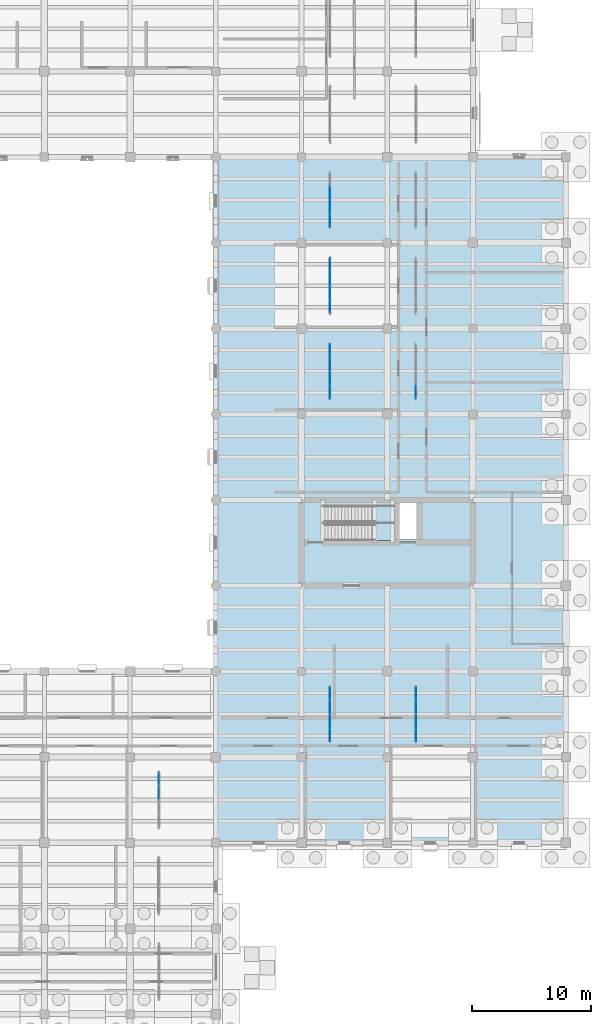
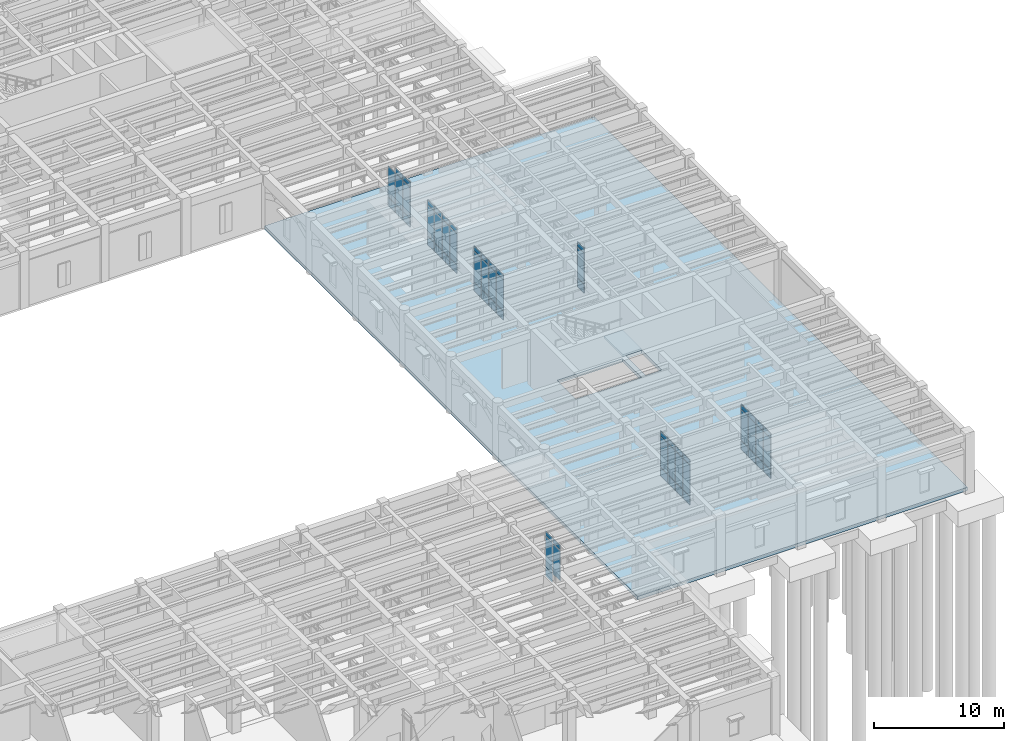
# One storey, part 63 of 100: 64 plates, 2 slabs, 8 elements without a shape of their own.
"""IFC4 building model written with IfcOpenShell, lengths in metres."""

import ifcopenshell
import ifcopenshell.guid

model = None  # the IFC model being written
_history = None  # IfcOwnerHistory: only IFC2X3 demands one
_inside = {}  # id of a spatial element -> (the spatial element, [elements in it])
_under = {}  # id of a project, library or spatial element -> (it, [spatial elements below it])
_declared = {}  # id of a project -> (the project, [libraries it declares])
_typed = {}  # id of a type object -> (the type object, [elements of that type])
_made_of = {}  # id of a material, layer set ... -> (it, [elements and type objects made of it])


def new_model(schema):
    """Start an empty IFC model of exactly this schema.

    Asked for "IFC4X3", IfcOpenShell would pick the latest addendum, in which some entities
    have other attributes; the version numbers below select the first issue.
    IFC2X3 requires an IfcOwnerHistory on every rooted entity: one is made here for all.
    """
    global model, _history
    if schema == "IFC4X3":
        model = ifcopenshell.file(schema_version=(4, 3, 0, 0))
    else:
        model = ifcopenshell.file(schema=schema)
    _inside.clear()
    _under.clear()
    _declared.clear()
    _typed.clear()
    _made_of.clear()
    _history = None
    if model.schema == "IFC2X3":
        org = make("IfcOrganization", Name="unknown")
        user = make(
            "IfcPersonAndOrganization",
            ThePerson=make("IfcPerson", FamilyName="unknown"),
            TheOrganization=org,
        )
        app = make(
            "IfcApplication",
            ApplicationDeveloper=org,
            Version="unknown",
            ApplicationFullName="unknown",
            ApplicationIdentifier="unknown",
        )
        _history = make(
            "IfcOwnerHistory",
            OwningUser=user,
            OwningApplication=app,
            ChangeAction="ADDED",
            CreationDate=0,
        )
    return model


def make(cls, **values):
    """One entity of the class cls with the attributes given. An attribute that is None is left unset."""
    return model.create_entity(
        cls, **{name: value for name, value in values.items() if value is not None}
    )


def rooted(cls, **values):
    """An entity with a GlobalId (a new one), such as an element, a storey or a relation."""
    return make(cls, GlobalId=ifcopenshell.guid.new(), OwnerHistory=_history, **values)


def si_unit(unit_type, name, prefix=None):
    """IfcSIUnit, for example si_unit("LENGTHUNIT", "METRE", prefix="MILLI")."""
    return make("IfcSIUnit", UnitType=unit_type, Prefix=prefix, Name=name)


def assignment(units):
    """IfcUnitAssignment: the units of a project."""
    return None if units is None else make("IfcUnitAssignment", Units=units)


def point(xyz):
    """IfcCartesianPoint."""
    return None if xyz is None else make("IfcCartesianPoint", Coordinates=xyz)


def direction(xyz):
    """IfcDirection."""
    return None if xyz is None else make("IfcDirection", DirectionRatios=xyz)


def frame(location, z_axis=None, x_axis=None):
    """IfcAxis2Placement3D, a coordinate frame: its origin and axes. An axis left out is left unset."""
    return make(
        "IfcAxis2Placement3D",
        Location=point(location),
        Axis=direction(z_axis),
        RefDirection=direction(x_axis),
    )


def frame_2d(location, x_axis=None):
    """IfcAxis2Placement2D, a coordinate frame in the plane: its origin and x axis."""
    return make(
        "IfcAxis2Placement2D", Location=point(location), RefDirection=direction(x_axis)
    )


def origin():
    """The frame at (0, 0, 0) with its axes left unset."""
    return frame((0.0, 0.0, 0.0))


def origin_2d():
    """The frame at (0, 0) in the plane with its x axis left unset."""
    return frame_2d((0.0, 0.0))


def place(relative_to, where):
    """IfcLocalPlacement: puts the frame where relative to a parent placement (None: the world)."""
    return make(
        "IfcLocalPlacement", PlacementRelTo=relative_to, RelativePlacement=where
    )


def context(
    kind, dimensions, precision=None, world=None, true_north=None, identifier=None
):
    """IfcGeometricRepresentationContext, for example the 3D "Model" context."""
    return make(
        "IfcGeometricRepresentationContext",
        ContextIdentifier=identifier,
        ContextType=kind,
        CoordinateSpaceDimension=dimensions,
        Precision=precision,
        WorldCoordinateSystem=world,
        TrueNorth=true_north,
    )


def subcontext(parent, identifier, kind, view, scale=None):
    """IfcGeometricRepresentationSubContext, for example "Body" below "Model"."""
    return make(
        "IfcGeometricRepresentationSubContext",
        ContextIdentifier=identifier,
        ContextType=kind,
        ParentContext=parent,
        TargetScale=scale,
        TargetView=view,
    )


def project(units=None, contexts=None):
    """IfcProject with its units and contexts."""
    return rooted(
        "IfcProject",
        Name="project",
        RepresentationContexts=contexts,
        UnitsInContext=assignment(units),
    )


def spatial(cls, under=None, at=None, **own):
    """A site, building, storey or space (cls), placed at a placement, below another one or the project."""
    s = rooted(cls, ObjectPlacement=at, **own)
    if under is not None:
        _under.setdefault(under.id(), (under, []))[1].append(s)
    return s


def polyline(points):
    """IfcPolyline through the points."""
    return make("IfcPolyline", Points=[point(p) for p in points])


def profile(cls, at=None, kind="AREA", **sizes):
    """A parametric profile (cls). Its sizes go by their IFC names, for example OverallWidth=200.0."""
    return make(cls, ProfileType=kind, Position=at, **sizes)


def rectangle(**sizes):
    """IfcRectangleProfileDef."""
    return profile("IfcRectangleProfileDef", **sizes)


def outline(outer, holes=None, kind="AREA"):
    """IfcArbitraryClosedProfileDef: a profile drawn as a closed curve; with holes, ...WithVoids."""
    if holes is None:
        return make("IfcArbitraryClosedProfileDef", ProfileType=kind, OuterCurve=outer)
    return make(
        "IfcArbitraryProfileDefWithVoids",
        ProfileType=kind,
        OuterCurve=outer,
        InnerCurves=holes,
    )


def extrude(swept, where, along, depth):
    """IfcExtrudedAreaSolid: the profile swept, set in the frame where, extruded along a direction by depth."""
    return make(
        "IfcExtrudedAreaSolid",
        SweptArea=swept,
        Position=where,
        ExtrudedDirection=direction(along),
        Depth=depth,
    )


def shape(context_of_items, identifier, shape_type, items):
    """IfcShapeRepresentation: the items that make up one representation, for example the "Body"."""
    return make(
        "IfcShapeRepresentation",
        ContextOfItems=context_of_items,
        RepresentationIdentifier=identifier,
        RepresentationType=shape_type,
        Items=items,
    )


def material(Name=None, Category=None):
    """IfcMaterial."""
    return make("IfcMaterial", Name=Name, Category=Category)


def layer(
    of_material, thickness, ventilated=None, Name=None, Category=None, Priority=None
):
    """IfcMaterialLayer: one layer of a wall or slab, of a material (None: an air gap)."""
    return make(
        "IfcMaterialLayer",
        Material=of_material,
        LayerThickness=thickness,
        IsVentilated=ventilated,
        Name=Name,
        Category=Category,
        Priority=Priority,
    )


def layer_set(layers, Name=None):
    """IfcMaterialLayerSet."""
    return make("IfcMaterialLayerSet", MaterialLayers=layers, LayerSetName=Name)


def made_of(thing, what):
    """Note that an element or type object is made of a material, layer set ...; save() writes the relation."""
    if what is not None:
        _made_of.setdefault(what.id(), (what, []))[1].append(thing)
    return thing


def type_object(cls, material=None, **own):
    """A type object (cls), such as IfcWallType, which elements share."""
    return made_of(rooted(cls, **own), material)


def element(
    cls,
    number,
    at=None,
    inside=None,
    cuts=None,
    type_object=None,
    material=None,
    context=None,
    identifier="Body",
    shape_type=None,
    held_by="IfcProductDefinitionShape",
    body=None,
    shapes=None,
    **own,
):
    """One element of the class cls, such as IfcWall. Its Tag is "e" and its number.

    at: its placement. inside: the storey or other place that contains it. cuts: it is an
    opening in that element (IfcRelVoidsElement). A single representation is given by context,
    identifier, shape_type and body (its items); several are given by shapes. held_by: the class
    of the entity that holds the representations. save() writes the other relations.
    """
    e = rooted(cls, Tag="e%d" % number, ObjectPlacement=at, **own)
    if body is not None:
        shapes = [shape(context, identifier, shape_type, body)]
    if shapes is not None:
        e.Representation = make(held_by, Representations=shapes)
    if inside is not None:
        _inside.setdefault(inside.id(), (inside, []))[1].append(e)
    if cuts is not None:
        rooted(
            "IfcRelVoidsElement", RelatingBuildingElement=cuts, RelatedOpeningElement=e
        )
    if type_object is not None:
        _typed.setdefault(type_object.id(), (type_object, []))[1].append(e)
    return made_of(e, material)


def aggregate(whole, parts):
    """IfcRelAggregates: a whole, such as a stair, and the parts it consists of."""
    return rooted("IfcRelAggregates", RelatingObject=whole, RelatedObjects=parts)


def save(model, path):
    """Write the relations noted so far, then the file.

    IfcRelAggregates (storeys below a building ...), IfcRelContainedInSpatialStructure (elements
    in a storey), IfcRelDefinesByType, IfcRelAssociatesMaterial and IfcRelDeclares: one each for
    every whole, place, type object, material and project.
    """
    for whole, parts in _under.values():
        aggregate(whole, parts)
    for where, things in _inside.values():
        rooted(
            "IfcRelContainedInSpatialStructure",
            RelatedElements=things,
            RelatingStructure=where,
        )
    for kind, things in _typed.values():
        rooted("IfcRelDefinesByType", RelatedObjects=things, RelatingType=kind)
    for what, things in _made_of.values():
        rooted("IfcRelAssociatesMaterial", RelatedObjects=things, RelatingMaterial=what)
    for by, libraries in _declared.values():
        rooted("IfcRelDeclares", RelatingContext=by, RelatedDefinitions=libraries)
    model.write(path)


model = new_model("IFC4")

# Units and contexts
model_context = context("Model", 3, precision=1e-05, world=origin(), true_north=direction((0.0, 1.0)))
body_context = subcontext(model_context, "Body", "Model", "MODEL_VIEW")
ifc_project = project(units=[si_unit("LENGTHUNIT", "METRE"), si_unit("AREAUNIT", "SQUARE_METRE"), si_unit("VOLUMEUNIT", "CUBIC_METRE"), si_unit("PLANEANGLEUNIT", "RADIAN"), si_unit("MASSUNIT", "GRAM", prefix="KILO")], contexts=[model_context])

# Site, building, storey
site_placement = place(None, origin())
site = spatial("IfcSite", under=ifc_project, at=site_placement, CompositionType="ELEMENT")
building_placement = place(site_placement, origin())
building = spatial("IfcBuilding", under=site, at=building_placement, Name="Mithqara Police Headquarters", CompositionType="ELEMENT")
storey_placement = place(building_placement, origin())
storey = spatial("IfcBuildingStorey", under=building, at=storey_placement, Name="L00", CompositionType="ELEMENT", Elevation=0.0)

# Curtain wall, plates
ifc_material_1 = material(Name="Bronze anodised aluminium 6063-T6", Category="aluminium")
curtain_wall_type = type_object("IfcCurtainWallType", Name="CURTAIN WALL 4700X4400", PredefinedType="USERDEFINED", material=ifc_material_1)
curtain_wall_1_placement = place(storey_placement, origin())
curtain_wall_1 = element("IfcCurtainWall", 1, at=curtain_wall_1_placement, inside=storey, type_object=curtain_wall_type, Name="L00 Unitised Glazing CW-14 (CW-INT-L00-X19-Y03-0)", ObjectType="UNITISED GLAZING", PredefinedType="USERDEFINED")
ifc_material_2 = material(Name="Spectrally selective double low-e glass", Category="glass")
ifc_layer_1 = layer(ifc_material_2, 0.028076171875, Name="Spectrally selective double low-e glass")
ifc_layer_set_1 = layer_set([ifc_layer_1], Name="Spectrally selective double low-e glass")
plate_type_1 = type_object("IfcPlateType", Name="CWPANEL GLASS28", PredefinedType="CURTAIN_PANEL", material=ifc_layer_set_1)
plate_1_placement = place(storey_placement, frame((139.800048828125, 25.1875, 0.9375), z_axis=(0.0, 0.0, 1.0), x_axis=(0.0, 1.0, 0.0)))
plate_1 = element("IfcPlate", 2, at=plate_1_placement, type_object=plate_type_1, Name="CW-14 panel 3.2", PredefinedType="CURTAIN_PANEL", context=body_context, shape_type="SweptSolid", body=[
    extrude(rectangle(XDim=1.10009765625, YDim=0.028076171875, at=origin_2d()), origin(), (0.0, 0.0, 1.0), 2.875),
])
plate_2_placement = place(storey_placement, frame((139.800048828125, 25.1875, 3.887451171875), z_axis=(0.0, 0.0, 1.0), x_axis=(0.0, 1.0, 0.0)))
plate_2 = element("IfcPlate", 3, at=plate_2_placement, type_object=plate_type_1, Name="CW-14 panel 3.3", PredefinedType="CURTAIN_PANEL", context=body_context, shape_type="SweptSolid", body=[
    extrude(rectangle(XDim=1.10009765625, YDim=0.028076171875, at=origin_2d()), origin(), (0.0, 0.0, 1.0), 0.4375),
])
plate_3_placement = place(storey_placement, frame((139.800048828125, 26.34375, 0.074951171875), z_axis=(0.0, 0.0, 1.0), x_axis=(0.0, 1.0, 0.0)))
plate_3 = element("IfcPlate", 4, at=plate_3_placement, type_object=plate_type_1, Name="CW-14 panel 4.1", PredefinedType="CURTAIN_PANEL", context=body_context, shape_type="SweptSolid", body=[
    extrude(rectangle(XDim=1.0625, YDim=0.028076171875, at=origin_2d()), origin(), (0.0, 0.0, 1.0), 0.78759765625),
])
plate_4_placement = place(storey_placement, frame((139.800048828125, 26.34375, 0.9375), z_axis=(0.0, 0.0, 1.0), x_axis=(0.0, 1.0, 0.0)))
plate_4 = element("IfcPlate", 5, at=plate_4_placement, type_object=plate_type_1, Name="CW-14 panel 4.2", PredefinedType="CURTAIN_PANEL", context=body_context, shape_type="SweptSolid", body=[
    extrude(rectangle(XDim=1.0625, YDim=0.028076171875, at=origin_2d()), origin(), (0.0, 0.0, 1.0), 2.875),
])
plate_5_placement = place(storey_placement, frame((139.800048828125, 26.34375, 3.887451171875), z_axis=(0.0, 0.0, 1.0), x_axis=(0.0, 1.0, 0.0)))
plate_5 = element("IfcPlate", 6, at=plate_5_placement, type_object=plate_type_1, Name="CW-14 panel 4.3", PredefinedType="CURTAIN_PANEL", context=body_context, shape_type="SweptSolid", body=[
    extrude(rectangle(XDim=1.0625, YDim=0.028076171875, at=origin_2d()), origin(), (0.0, 0.0, 1.0), 0.4375),
])
aggregate(curtain_wall_1, [plate_1, plate_2, plate_3, plate_4, plate_5])

curtain_wall_2_placement = place(storey_placement, origin())
curtain_wall_2 = element("IfcCurtainWall", 7, at=curtain_wall_2_placement, inside=storey, type_object=curtain_wall_type, Name="L00 Unitised Glazing CW-14 (CW-INT-L00-X21-Y04-0)", ObjectType="UNITISED GLAZING", PredefinedType="USERDEFINED")
plate_6_placement = place(storey_placement, frame((154.199951171875, 30.05615234375, 0.074951171875), z_axis=(0.0, 0.0, 1.0), x_axis=(0.0, 1.0, 0.0)))
plate_6 = element("IfcPlate", 8, at=plate_6_placement, type_object=plate_type_1, Name="CW-14 panel 1.1", PredefinedType="CURTAIN_PANEL", context=body_context, shape_type="SweptSolid", body=[
    extrude(rectangle(XDim=1.0625, YDim=0.028076171875, at=origin_2d()), origin(), (0.0, 0.0, 1.0), 0.78759765625),
])
plate_7_placement = place(storey_placement, frame((154.199951171875, 30.05615234375, 0.9375), z_axis=(0.0, 0.0, 1.0), x_axis=(0.0, 1.0, 0.0)))
plate_7 = element("IfcPlate", 9, at=plate_7_placement, type_object=plate_type_1, Name="CW-14 panel 1.2", PredefinedType="CURTAIN_PANEL", context=body_context, shape_type="SweptSolid", body=[
    extrude(rectangle(XDim=1.0625, YDim=0.028076171875, at=origin_2d()), origin(), (0.0, 0.0, 1.0), 2.875),
])
plate_8_placement = place(storey_placement, frame((154.199951171875, 30.05615234375, 3.887451171875), z_axis=(0.0, 0.0, 1.0), x_axis=(0.0, 1.0, 0.0)))
plate_8 = element("IfcPlate", 10, at=plate_8_placement, type_object=plate_type_1, Name="CW-14 panel 1.3", PredefinedType="CURTAIN_PANEL", context=body_context, shape_type="SweptSolid", body=[
    extrude(rectangle(XDim=1.0625, YDim=0.028076171875, at=origin_2d()), origin(), (0.0, 0.0, 1.0), 0.4375),
])
plate_9_placement = place(storey_placement, frame((154.199951171875, 31.21240234375, 0.074951171875), z_axis=(0.0, 0.0, 1.0), x_axis=(0.0, 1.0, 0.0)))
plate_9 = element("IfcPlate", 11, at=plate_9_placement, type_object=plate_type_1, Name="CW-14 panel 2.1", PredefinedType="CURTAIN_PANEL", context=body_context, shape_type="SweptSolid", body=[
    extrude(rectangle(XDim=1.10009765625, YDim=0.028076171875, at=origin_2d()), origin(), (0.0, 0.0, 1.0), 0.78759765625),
])
plate_10_placement = place(storey_placement, frame((154.199951171875, 31.21240234375, 0.9375), z_axis=(0.0, 0.0, 1.0), x_axis=(0.0, 1.0, 0.0)))
plate_10 = element("IfcPlate", 12, at=plate_10_placement, type_object=plate_type_1, Name="CW-14 panel 2.2", PredefinedType="CURTAIN_PANEL", context=body_context, shape_type="SweptSolid", body=[
    extrude(rectangle(XDim=1.10009765625, YDim=0.028076171875, at=origin_2d()), origin(), (0.0, 0.0, 1.0), 2.875),
])
plate_11_placement = place(storey_placement, frame((154.199951171875, 31.21240234375, 3.887451171875), z_axis=(0.0, 0.0, 1.0), x_axis=(0.0, 1.0, 0.0)))
plate_11 = element("IfcPlate", 13, at=plate_11_placement, type_object=plate_type_1, Name="CW-14 panel 2.3", PredefinedType="CURTAIN_PANEL", context=body_context, shape_type="SweptSolid", body=[
    extrude(rectangle(XDim=1.10009765625, YDim=0.028076171875, at=origin_2d()), origin(), (0.0, 0.0, 1.0), 0.4375),
])
plate_12_placement = place(storey_placement, frame((154.199951171875, 32.387451171875, 0.074951171875), z_axis=(0.0, 0.0, 1.0), x_axis=(0.0, 1.0, 0.0)))
plate_12 = element("IfcPlate", 14, at=plate_12_placement, type_object=plate_type_1, Name="CW-14 panel 3.1", PredefinedType="CURTAIN_PANEL", context=body_context, shape_type="SweptSolid", body=[
    extrude(rectangle(XDim=1.10009765625, YDim=0.028076171875, at=origin_2d()), origin(), (0.0, 0.0, 1.0), 0.78759765625),
])
plate_13_placement = place(storey_placement, frame((154.199951171875, 32.387451171875, 0.9375), z_axis=(0.0, 0.0, 1.0), x_axis=(0.0, 1.0, 0.0)))
plate_13 = element("IfcPlate", 15, at=plate_13_placement, type_object=plate_type_1, Name="CW-14 panel 3.2", PredefinedType="CURTAIN_PANEL", context=body_context, shape_type="SweptSolid", body=[
    extrude(rectangle(XDim=1.10009765625, YDim=0.028076171875, at=origin_2d()), origin(), (0.0, 0.0, 1.0), 2.875),
])
plate_14_placement = place(storey_placement, frame((154.199951171875, 32.387451171875, 3.887451171875), z_axis=(0.0, 0.0, 1.0), x_axis=(0.0, 1.0, 0.0)))
plate_14 = element("IfcPlate", 16, at=plate_14_placement, type_object=plate_type_1, Name="CW-14 panel 3.3", PredefinedType="CURTAIN_PANEL", context=body_context, shape_type="SweptSolid", body=[
    extrude(rectangle(XDim=1.10009765625, YDim=0.028076171875, at=origin_2d()), origin(), (0.0, 0.0, 1.0), 0.4375),
])
plate_15_placement = place(storey_placement, frame((154.199951171875, 33.543701171875, 0.074951171875), z_axis=(0.0, 0.0, 1.0), x_axis=(0.0, 1.0, 0.0)))
plate_15 = element("IfcPlate", 17, at=plate_15_placement, type_object=plate_type_1, Name="CW-14 panel 4.1", PredefinedType="CURTAIN_PANEL", context=body_context, shape_type="SweptSolid", body=[
    extrude(rectangle(XDim=1.0625, YDim=0.028076171875, at=origin_2d()), origin(), (0.0, 0.0, 1.0), 0.78759765625),
])
plate_16_placement = place(storey_placement, frame((154.199951171875, 33.543701171875, 0.9375), z_axis=(0.0, 0.0, 1.0), x_axis=(0.0, 1.0, 0.0)))
plate_16 = element("IfcPlate", 18, at=plate_16_placement, type_object=plate_type_1, Name="CW-14 panel 4.2", PredefinedType="CURTAIN_PANEL", context=body_context, shape_type="SweptSolid", body=[
    extrude(rectangle(XDim=1.0625, YDim=0.028076171875, at=origin_2d()), origin(), (0.0, 0.0, 1.0), 2.875),
])
plate_17_placement = place(storey_placement, frame((154.199951171875, 33.543701171875, 3.887451171875), z_axis=(0.0, 0.0, 1.0), x_axis=(0.0, 1.0, 0.0)))
plate_17 = element("IfcPlate", 19, at=plate_17_placement, type_object=plate_type_1, Name="CW-14 panel 4.3", PredefinedType="CURTAIN_PANEL", context=body_context, shape_type="SweptSolid", body=[
    extrude(rectangle(XDim=1.0625, YDim=0.028076171875, at=origin_2d()), origin(), (0.0, 0.0, 1.0), 0.4375),
])
aggregate(curtain_wall_2, [plate_6, plate_7, plate_8, plate_9, plate_10, plate_11, plate_12, plate_13, plate_14, plate_15, plate_16, plate_17])

curtain_wall_3_placement = place(storey_placement, origin())
curtain_wall_3 = element("IfcCurtainWall", 20, at=curtain_wall_3_placement, inside=storey, type_object=curtain_wall_type, Name="L00 Unitised Glazing CW-14 (CW-INT-L00-X21-Y08-0)", ObjectType="UNITISED GLAZING", PredefinedType="USERDEFINED")
plate_18_placement = place(storey_placement, frame((154.199951171875, 58.856201171875, 0.074951171875), z_axis=(0.0, 0.0, 1.0), x_axis=(0.0, 1.0, 0.0)))
plate_18 = element("IfcPlate", 21, at=plate_18_placement, type_object=plate_type_1, Name="CW-14 panel 1.1", PredefinedType="CURTAIN_PANEL", context=body_context, shape_type="SweptSolid", body=[
    extrude(rectangle(XDim=1.0625, YDim=0.028076171875, at=origin_2d()), origin(), (0.0, 0.0, 1.0), 0.78759765625),
])
plate_19_placement = place(storey_placement, frame((154.199951171875, 58.856201171875, 0.9375), z_axis=(0.0, 0.0, 1.0), x_axis=(0.0, 1.0, 0.0)))
plate_19 = element("IfcPlate", 22, at=plate_19_placement, type_object=plate_type_1, Name="CW-14 panel 1.2", PredefinedType="CURTAIN_PANEL", context=body_context, shape_type="SweptSolid", body=[
    extrude(rectangle(XDim=1.0625, YDim=0.028076171875, at=origin_2d()), origin(), (0.0, 0.0, 1.0), 2.875),
])
plate_20_placement = place(storey_placement, frame((154.199951171875, 58.856201171875, 3.887451171875), z_axis=(0.0, 0.0, 1.0), x_axis=(0.0, 1.0, 0.0)))
plate_20 = element("IfcPlate", 23, at=plate_20_placement, type_object=plate_type_1, Name="CW-14 panel 1.3", PredefinedType="CURTAIN_PANEL", context=body_context, shape_type="SweptSolid", body=[
    extrude(rectangle(XDim=1.0625, YDim=0.028076171875, at=origin_2d()), origin(), (0.0, 0.0, 1.0), 0.4375),
])
plate_21_placement = place(storey_placement, frame((154.199951171875, 60.012451171875, 0.074951171875), z_axis=(0.0, 0.0, 1.0), x_axis=(0.0, 1.0, 0.0)))
plate_21 = element("IfcPlate", 24, at=plate_21_placement, type_object=plate_type_1, Name="CW-14 panel 2.1", PredefinedType="CURTAIN_PANEL", context=body_context, shape_type="SweptSolid", body=[
    extrude(rectangle(XDim=1.10009765625, YDim=0.028076171875, at=origin_2d()), origin(), (0.0, 0.0, 1.0), 0.78759765625),
])
plate_22_placement = place(storey_placement, frame((154.199951171875, 60.012451171875, 0.9375), z_axis=(0.0, 0.0, 1.0), x_axis=(0.0, 1.0, 0.0)))
plate_22 = element("IfcPlate", 25, at=plate_22_placement, type_object=plate_type_1, Name="CW-14 panel 2.2", PredefinedType="CURTAIN_PANEL", context=body_context, shape_type="SweptSolid", body=[
    extrude(rectangle(XDim=1.10009765625, YDim=0.028076171875, at=origin_2d()), origin(), (0.0, 0.0, 1.0), 2.875),
])
plate_23_placement = place(storey_placement, frame((154.199951171875, 60.012451171875, 3.887451171875), z_axis=(0.0, 0.0, 1.0), x_axis=(0.0, 1.0, 0.0)))
plate_23 = element("IfcPlate", 26, at=plate_23_placement, type_object=plate_type_1, Name="CW-14 panel 2.3", PredefinedType="CURTAIN_PANEL", context=body_context, shape_type="SweptSolid", body=[
    extrude(rectangle(XDim=1.10009765625, YDim=0.028076171875, at=origin_2d()), origin(), (0.0, 0.0, 1.0), 0.4375),
])
plate_24_placement = place(storey_placement, frame((154.199951171875, 61.1875, 0.074951171875), z_axis=(0.0, 0.0, 1.0), x_axis=(0.0, 1.0, 0.0)))
plate_24 = element("IfcPlate", 27, at=plate_24_placement, type_object=plate_type_1, Name="CW-14 panel 3.1", PredefinedType="CURTAIN_PANEL", context=body_context, shape_type="SweptSolid", body=[
    extrude(rectangle(XDim=1.10009765625, YDim=0.028076171875, at=origin_2d()), origin(), (0.0, 0.0, 1.0), 0.78759765625),
])
plate_25_placement = place(storey_placement, frame((154.199951171875, 61.1875, 0.9375), z_axis=(0.0, 0.0, 1.0), x_axis=(0.0, 1.0, 0.0)))
plate_25 = element("IfcPlate", 28, at=plate_25_placement, type_object=plate_type_1, Name="CW-14 panel 3.2", PredefinedType="CURTAIN_PANEL", context=body_context, shape_type="SweptSolid", body=[
    extrude(rectangle(XDim=1.10009765625, YDim=0.028076171875, at=origin_2d()), origin(), (0.0, 0.0, 1.0), 2.875),
])
plate_26_placement = place(storey_placement, frame((154.199951171875, 61.1875, 3.887451171875), z_axis=(0.0, 0.0, 1.0), x_axis=(0.0, 1.0, 0.0)))
plate_26 = element("IfcPlate", 29, at=plate_26_placement, type_object=plate_type_1, Name="CW-14 panel 3.3", PredefinedType="CURTAIN_PANEL", context=body_context, shape_type="SweptSolid", body=[
    extrude(rectangle(XDim=1.10009765625, YDim=0.028076171875, at=origin_2d()), origin(), (0.0, 0.0, 1.0), 0.4375),
])
plate_27_placement = place(storey_placement, frame((154.199951171875, 62.34375, 0.074951171875), z_axis=(0.0, 0.0, 1.0), x_axis=(0.0, 1.0, 0.0)))
plate_27 = element("IfcPlate", 30, at=plate_27_placement, type_object=plate_type_1, Name="CW-14 panel 4.1", PredefinedType="CURTAIN_PANEL", context=body_context, shape_type="SweptSolid", body=[
    extrude(rectangle(XDim=1.0625, YDim=0.028076171875, at=origin_2d()), origin(), (0.0, 0.0, 1.0), 0.78759765625),
])
plate_28_placement = place(storey_placement, frame((154.199951171875, 62.34375, 0.9375), z_axis=(0.0, 0.0, 1.0), x_axis=(0.0, 1.0, 0.0)))
plate_28 = element("IfcPlate", 31, at=plate_28_placement, type_object=plate_type_1, Name="CW-14 panel 4.2", PredefinedType="CURTAIN_PANEL", context=body_context, shape_type="SweptSolid", body=[
    extrude(rectangle(XDim=1.0625, YDim=0.028076171875, at=origin_2d()), origin(), (0.0, 0.0, 1.0), 2.875),
])
plate_29_placement = place(storey_placement, frame((154.199951171875, 62.34375, 3.887451171875), z_axis=(0.0, 0.0, 1.0), x_axis=(0.0, 1.0, 0.0)))
plate_29 = element("IfcPlate", 32, at=plate_29_placement, type_object=plate_type_1, Name="CW-14 panel 4.3", PredefinedType="CURTAIN_PANEL", context=body_context, shape_type="SweptSolid", body=[
    extrude(rectangle(XDim=1.0625, YDim=0.028076171875, at=origin_2d()), origin(), (0.0, 0.0, 1.0), 0.4375),
])
aggregate(curtain_wall_3, [plate_18, plate_19, plate_20, plate_21, plate_22, plate_23, plate_24, plate_25, plate_26, plate_27, plate_28, plate_29])

curtain_wall_4_placement = place(storey_placement, origin())
curtain_wall_4 = element("IfcCurtainWall", 33, at=curtain_wall_4_placement, inside=storey, type_object=curtain_wall_type, Name="L00 Unitised Glazing CW-14 (CW-INT-L00-X21-Y09-0)", ObjectType="UNITISED GLAZING", PredefinedType="USERDEFINED")
plate_30_placement = place(storey_placement, frame((154.199951171875, 66.05615234375, 0.074951171875), z_axis=(0.0, 0.0, 1.0), x_axis=(0.0, 1.0, 0.0)))
plate_30 = element("IfcPlate", 34, at=plate_30_placement, type_object=plate_type_1, Name="CW-14 panel 1.1", PredefinedType="CURTAIN_PANEL", context=body_context, shape_type="SweptSolid", body=[
    extrude(rectangle(XDim=1.0625, YDim=0.028076171875, at=origin_2d()), origin(), (0.0, 0.0, 1.0), 0.78759765625),
])
plate_31_placement = place(storey_placement, frame((154.199951171875, 66.05615234375, 0.9375), z_axis=(0.0, 0.0, 1.0), x_axis=(0.0, 1.0, 0.0)))
plate_31 = element("IfcPlate", 35, at=plate_31_placement, type_object=plate_type_1, Name="CW-14 panel 1.2", PredefinedType="CURTAIN_PANEL", context=body_context, shape_type="SweptSolid", body=[
    extrude(rectangle(XDim=1.0625, YDim=0.028076171875, at=origin_2d()), origin(), (0.0, 0.0, 1.0), 2.875),
])
plate_32_placement = place(storey_placement, frame((154.199951171875, 66.05615234375, 3.887451171875), z_axis=(0.0, 0.0, 1.0), x_axis=(0.0, 1.0, 0.0)))
plate_32 = element("IfcPlate", 36, at=plate_32_placement, type_object=plate_type_1, Name="CW-14 panel 1.3", PredefinedType="CURTAIN_PANEL", context=body_context, shape_type="SweptSolid", body=[
    extrude(rectangle(XDim=1.0625, YDim=0.028076171875, at=origin_2d()), origin(), (0.0, 0.0, 1.0), 0.4375),
])
plate_33_placement = place(storey_placement, frame((154.199951171875, 67.21240234375, 0.074951171875), z_axis=(0.0, 0.0, 1.0), x_axis=(0.0, 1.0, 0.0)))
plate_33 = element("IfcPlate", 37, at=plate_33_placement, type_object=plate_type_1, Name="CW-14 panel 2.1", PredefinedType="CURTAIN_PANEL", context=body_context, shape_type="SweptSolid", body=[
    extrude(rectangle(XDim=1.10009765625, YDim=0.028076171875, at=origin_2d()), origin(), (0.0, 0.0, 1.0), 0.78759765625),
])
plate_34_placement = place(storey_placement, frame((154.199951171875, 67.21240234375, 0.9375), z_axis=(0.0, 0.0, 1.0), x_axis=(0.0, 1.0, 0.0)))
plate_34 = element("IfcPlate", 38, at=plate_34_placement, type_object=plate_type_1, Name="CW-14 panel 2.2", PredefinedType="CURTAIN_PANEL", context=body_context, shape_type="SweptSolid", body=[
    extrude(rectangle(XDim=1.10009765625, YDim=0.028076171875, at=origin_2d()), origin(), (0.0, 0.0, 1.0), 2.875),
])
plate_35_placement = place(storey_placement, frame((154.199951171875, 67.21240234375, 3.887451171875), z_axis=(0.0, 0.0, 1.0), x_axis=(0.0, 1.0, 0.0)))
plate_35 = element("IfcPlate", 39, at=plate_35_placement, type_object=plate_type_1, Name="CW-14 panel 2.3", PredefinedType="CURTAIN_PANEL", context=body_context, shape_type="SweptSolid", body=[
    extrude(rectangle(XDim=1.10009765625, YDim=0.028076171875, at=origin_2d()), origin(), (0.0, 0.0, 1.0), 0.4375),
])
plate_36_placement = place(storey_placement, frame((154.199951171875, 68.387451171875, 0.074951171875), z_axis=(0.0, 0.0, 1.0), x_axis=(0.0, 1.0, 0.0)))
plate_36 = element("IfcPlate", 40, at=plate_36_placement, type_object=plate_type_1, Name="CW-14 panel 3.1", PredefinedType="CURTAIN_PANEL", context=body_context, shape_type="SweptSolid", body=[
    extrude(rectangle(XDim=1.10009765625, YDim=0.028076171875, at=origin_2d()), origin(), (0.0, 0.0, 1.0), 0.78759765625),
])
plate_37_placement = place(storey_placement, frame((154.199951171875, 68.387451171875, 0.9375), z_axis=(0.0, 0.0, 1.0), x_axis=(0.0, 1.0, 0.0)))
plate_37 = element("IfcPlate", 41, at=plate_37_placement, type_object=plate_type_1, Name="CW-14 panel 3.2", PredefinedType="CURTAIN_PANEL", context=body_context, shape_type="SweptSolid", body=[
    extrude(rectangle(XDim=1.10009765625, YDim=0.028076171875, at=origin_2d()), origin(), (0.0, 0.0, 1.0), 2.875),
])
plate_38_placement = place(storey_placement, frame((154.199951171875, 68.387451171875, 3.887451171875), z_axis=(0.0, 0.0, 1.0), x_axis=(0.0, 1.0, 0.0)))
plate_38 = element("IfcPlate", 42, at=plate_38_placement, type_object=plate_type_1, Name="CW-14 panel 3.3", PredefinedType="CURTAIN_PANEL", context=body_context, shape_type="SweptSolid", body=[
    extrude(rectangle(XDim=1.10009765625, YDim=0.028076171875, at=origin_2d()), origin(), (0.0, 0.0, 1.0), 0.4375),
])
plate_39_placement = place(storey_placement, frame((154.199951171875, 69.543701171875, 0.074951171875), z_axis=(0.0, 0.0, 1.0), x_axis=(0.0, 1.0, 0.0)))
plate_39 = element("IfcPlate", 43, at=plate_39_placement, type_object=plate_type_1, Name="CW-14 panel 4.1", PredefinedType="CURTAIN_PANEL", context=body_context, shape_type="SweptSolid", body=[
    extrude(rectangle(XDim=1.0625, YDim=0.028076171875, at=origin_2d()), origin(), (0.0, 0.0, 1.0), 0.78759765625),
])
plate_40_placement = place(storey_placement, frame((154.199951171875, 69.543701171875, 0.9375), z_axis=(0.0, 0.0, 1.0), x_axis=(0.0, 1.0, 0.0)))
plate_40 = element("IfcPlate", 44, at=plate_40_placement, type_object=plate_type_1, Name="CW-14 panel 4.2", PredefinedType="CURTAIN_PANEL", context=body_context, shape_type="SweptSolid", body=[
    extrude(rectangle(XDim=1.0625, YDim=0.028076171875, at=origin_2d()), origin(), (0.0, 0.0, 1.0), 2.875),
])
plate_41_placement = place(storey_placement, frame((154.199951171875, 69.543701171875, 3.887451171875), z_axis=(0.0, 0.0, 1.0), x_axis=(0.0, 1.0, 0.0)))
plate_41 = element("IfcPlate", 45, at=plate_41_placement, type_object=plate_type_1, Name="CW-14 panel 4.3", PredefinedType="CURTAIN_PANEL", context=body_context, shape_type="SweptSolid", body=[
    extrude(rectangle(XDim=1.0625, YDim=0.028076171875, at=origin_2d()), origin(), (0.0, 0.0, 1.0), 0.4375),
])
aggregate(curtain_wall_4, [plate_30, plate_31, plate_32, plate_33, plate_34, plate_35, plate_36, plate_37, plate_38, plate_39, plate_40, plate_41])

curtain_wall_5_placement = place(storey_placement, origin())
curtain_wall_5 = element("IfcCurtainWall", 46, at=curtain_wall_5_placement, inside=storey, type_object=curtain_wall_type, Name="L00 Unitised Glazing CW-14 (CW-INT-L00-X22-Y08-0)", ObjectType="UNITISED GLAZING", PredefinedType="USERDEFINED")
plate_42_placement = place(storey_placement, frame((161.39990234375, 58.856201171875, 0.074951171875), z_axis=(0.0, 0.0, 1.0), x_axis=(0.0, 1.0, 0.0)))
plate_42 = element("IfcPlate", 47, at=plate_42_placement, type_object=plate_type_1, Name="CW-14 panel 1.1", PredefinedType="CURTAIN_PANEL", context=body_context, shape_type="SweptSolid", body=[
    extrude(rectangle(XDim=1.0625, YDim=0.028076171875, at=origin_2d()), origin(), (0.0, 0.0, 1.0), 0.78759765625),
])
plate_43_placement = place(storey_placement, frame((161.39990234375, 58.856201171875, 0.9375), z_axis=(0.0, 0.0, 1.0), x_axis=(0.0, 1.0, 0.0)))
plate_43 = element("IfcPlate", 48, at=plate_43_placement, type_object=plate_type_1, Name="CW-14 panel 1.2", PredefinedType="CURTAIN_PANEL", context=body_context, shape_type="SweptSolid", body=[
    extrude(rectangle(XDim=1.0625, YDim=0.028076171875, at=origin_2d()), origin(), (0.0, 0.0, 1.0), 2.875),
])
plate_44_placement = place(storey_placement, frame((161.39990234375, 58.856201171875, 3.887451171875), z_axis=(0.0, 0.0, 1.0), x_axis=(0.0, 1.0, 0.0)))
plate_44 = element("IfcPlate", 49, at=plate_44_placement, type_object=plate_type_1, Name="CW-14 panel 1.3", PredefinedType="CURTAIN_PANEL", context=body_context, shape_type="SweptSolid", body=[
    extrude(rectangle(XDim=1.0625, YDim=0.028076171875, at=origin_2d()), origin(), (0.0, 0.0, 1.0), 0.4375),
])
aggregate(curtain_wall_5, [plate_42, plate_43, plate_44])

curtain_wall_6_placement = place(storey_placement, origin())
curtain_wall_6 = element("IfcCurtainWall", 50, at=curtain_wall_6_placement, inside=storey, type_object=curtain_wall_type, Name="L00 Unitised Glazing CW-14 (CW-INT-L00-X21-Y10-0)", ObjectType="UNITISED GLAZING", PredefinedType="USERDEFINED")
ifc_material_3 = material(Name="Insulated bronze aluminium spandrel panel", Category="aluminium")
ifc_layer_2 = layer(ifc_material_3, 0.048095703125, Name="Insulated bronze aluminium spandrel panel")
ifc_layer_set_2 = layer_set([ifc_layer_2], Name="Insulated bronze aluminium spandrel panel")
plate_type_2 = type_object("IfcPlateType", Name="CWPANEL SPANDREL48", PredefinedType="CURTAIN_PANEL", material=ifc_layer_set_2)
plate_45_placement = place(storey_placement, frame((154.199951171875, 73.25634765625, 0.074951171875), z_axis=(0.0, 0.0, 1.0), x_axis=(0.0, 1.0, 0.0)))
plate_45 = element("IfcPlate", 51, at=plate_45_placement, type_object=plate_type_2, Name="CW-14 panel 1.1", PredefinedType="CURTAIN_PANEL", context=body_context, shape_type="SweptSolid", body=[
    extrude(rectangle(XDim=1.0625, YDim=0.048095703125, at=origin_2d()), origin(), (0.0, 0.0, 1.0), 0.78759765625),
])
plate_46_placement = place(storey_placement, frame((154.199951171875, 73.25634765625, 0.9375), z_axis=(0.0, 0.0, 1.0), x_axis=(0.0, 1.0, 0.0)))
plate_46 = element("IfcPlate", 52, at=plate_46_placement, type_object=plate_type_2, Name="CW-14 panel 1.2", PredefinedType="CURTAIN_PANEL", context=body_context, shape_type="SweptSolid", body=[
    extrude(rectangle(XDim=1.0625, YDim=0.048095703125, at=origin_2d()), origin(), (0.0, 0.0, 1.0), 2.875),
])
plate_47_placement = place(storey_placement, frame((154.199951171875, 73.25634765625, 3.887451171875), z_axis=(0.0, 0.0, 1.0), x_axis=(0.0, 1.0, 0.0)))
plate_47 = element("IfcPlate", 53, at=plate_47_placement, type_object=plate_type_2, Name="CW-14 panel 1.3", PredefinedType="CURTAIN_PANEL", context=body_context, shape_type="SweptSolid", body=[
    extrude(rectangle(XDim=1.0625, YDim=0.048095703125, at=origin_2d()), origin(), (0.0, 0.0, 1.0), 0.4375),
])
plate_48_placement = place(storey_placement, frame((154.199951171875, 74.41259765625, 0.074951171875), z_axis=(0.0, 0.0, 1.0), x_axis=(0.0, 1.0, 0.0)))
plate_48 = element("IfcPlate", 54, at=plate_48_placement, type_object=plate_type_2, Name="CW-14 panel 2.1", PredefinedType="CURTAIN_PANEL", context=body_context, shape_type="SweptSolid", body=[
    extrude(rectangle(XDim=1.10009765625, YDim=0.048095703125, at=origin_2d()), origin(), (0.0, 0.0, 1.0), 0.78759765625),
])
plate_49_placement = place(storey_placement, frame((154.199951171875, 74.41259765625, 0.9375), z_axis=(0.0, 0.0, 1.0), x_axis=(0.0, 1.0, 0.0)))
plate_49 = element("IfcPlate", 55, at=plate_49_placement, type_object=plate_type_2, Name="CW-14 panel 2.2", PredefinedType="CURTAIN_PANEL", context=body_context, shape_type="SweptSolid", body=[
    extrude(rectangle(XDim=1.10009765625, YDim=0.048095703125, at=origin_2d()), origin(), (0.0, 0.0, 1.0), 2.875),
])
plate_50_placement = place(storey_placement, frame((154.199951171875, 74.41259765625, 3.887451171875), z_axis=(0.0, 0.0, 1.0), x_axis=(0.0, 1.0, 0.0)))
plate_50 = element("IfcPlate", 56, at=plate_50_placement, type_object=plate_type_2, Name="CW-14 panel 2.3", PredefinedType="CURTAIN_PANEL", context=body_context, shape_type="SweptSolid", body=[
    extrude(rectangle(XDim=1.10009765625, YDim=0.048095703125, at=origin_2d()), origin(), (0.0, 0.0, 1.0), 0.4375),
])
plate_51_placement = place(storey_placement, frame((154.199951171875, 75.58740234375, 0.074951171875), z_axis=(0.0, 0.0, 1.0), x_axis=(0.0, 1.0, 0.0)))
plate_51 = element("IfcPlate", 57, at=plate_51_placement, type_object=plate_type_2, Name="CW-14 panel 3.1", PredefinedType="CURTAIN_PANEL", context=body_context, shape_type="SweptSolid", body=[
    extrude(rectangle(XDim=1.10009765625, YDim=0.048095703125, at=origin_2d()), origin(), (0.0, 0.0, 1.0), 0.78759765625),
])
plate_52_placement = place(storey_placement, frame((154.199951171875, 75.58740234375, 0.9375), z_axis=(0.0, 0.0, 1.0), x_axis=(0.0, 1.0, 0.0)))
plate_52 = element("IfcPlate", 58, at=plate_52_placement, type_object=plate_type_2, Name="CW-14 panel 3.2", PredefinedType="CURTAIN_PANEL", context=body_context, shape_type="SweptSolid", body=[
    extrude(rectangle(XDim=1.10009765625, YDim=0.048095703125, at=origin_2d()), origin(), (0.0, 0.0, 1.0), 2.875),
])
aggregate(curtain_wall_6, [plate_45, plate_46, plate_47, plate_48, plate_49, plate_50, plate_51, plate_52])

curtain_wall_7_placement = place(storey_placement, origin())
curtain_wall_7 = element("IfcCurtainWall", 59, at=curtain_wall_7_placement, inside=storey, type_object=curtain_wall_type, Name="L00 Unitised Glazing CW-14 (CW-INT-L00-X22-Y04-0)", ObjectType="UNITISED GLAZING", PredefinedType="USERDEFINED")
plate_53_placement = place(storey_placement, frame((161.39990234375, 30.05615234375, 0.074951171875), z_axis=(0.0, 0.0, 1.0), x_axis=(0.0, 1.0, 0.0)))
plate_53 = element("IfcPlate", 60, at=plate_53_placement, type_object=plate_type_2, Name="CW-14 panel 1.1", PredefinedType="CURTAIN_PANEL", context=body_context, shape_type="SweptSolid", body=[
    extrude(rectangle(XDim=1.0625, YDim=0.048095703125, at=origin_2d()), origin(), (0.0, 0.0, 1.0), 0.78759765625),
])
plate_54_placement = place(storey_placement, frame((161.39990234375, 30.05615234375, 0.9375), z_axis=(0.0, 0.0, 1.0), x_axis=(0.0, 1.0, 0.0)))
plate_54 = element("IfcPlate", 61, at=plate_54_placement, type_object=plate_type_2, Name="CW-14 panel 1.2", PredefinedType="CURTAIN_PANEL", context=body_context, shape_type="SweptSolid", body=[
    extrude(rectangle(XDim=1.0625, YDim=0.048095703125, at=origin_2d()), origin(), (0.0, 0.0, 1.0), 2.875),
])
plate_55_placement = place(storey_placement, frame((161.39990234375, 30.05615234375, 3.887451171875), z_axis=(0.0, 0.0, 1.0), x_axis=(0.0, 1.0, 0.0)))
plate_55 = element("IfcPlate", 62, at=plate_55_placement, type_object=plate_type_2, Name="CW-14 panel 1.3", PredefinedType="CURTAIN_PANEL", context=body_context, shape_type="SweptSolid", body=[
    extrude(rectangle(XDim=1.0625, YDim=0.048095703125, at=origin_2d()), origin(), (0.0, 0.0, 1.0), 0.4375),
])
plate_56_placement = place(storey_placement, frame((161.39990234375, 31.21240234375, 0.074951171875), z_axis=(0.0, 0.0, 1.0), x_axis=(0.0, 1.0, 0.0)))
plate_56 = element("IfcPlate", 63, at=plate_56_placement, type_object=plate_type_2, Name="CW-14 panel 2.1", PredefinedType="CURTAIN_PANEL", context=body_context, shape_type="SweptSolid", body=[
    extrude(rectangle(XDim=1.10009765625, YDim=0.048095703125, at=origin_2d()), origin(), (0.0, 0.0, 1.0), 0.78759765625),
])
plate_57_placement = place(storey_placement, frame((161.39990234375, 31.21240234375, 0.9375), z_axis=(0.0, 0.0, 1.0), x_axis=(0.0, 1.0, 0.0)))
plate_57 = element("IfcPlate", 64, at=plate_57_placement, type_object=plate_type_2, Name="CW-14 panel 2.2", PredefinedType="CURTAIN_PANEL", context=body_context, shape_type="SweptSolid", body=[
    extrude(rectangle(XDim=1.10009765625, YDim=0.048095703125, at=origin_2d()), origin(), (0.0, 0.0, 1.0), 2.875),
])
plate_58_placement = place(storey_placement, frame((161.39990234375, 31.21240234375, 3.887451171875), z_axis=(0.0, 0.0, 1.0), x_axis=(0.0, 1.0, 0.0)))
plate_58 = element("IfcPlate", 65, at=plate_58_placement, type_object=plate_type_2, Name="CW-14 panel 2.3", PredefinedType="CURTAIN_PANEL", context=body_context, shape_type="SweptSolid", body=[
    extrude(rectangle(XDim=1.10009765625, YDim=0.048095703125, at=origin_2d()), origin(), (0.0, 0.0, 1.0), 0.4375),
])
plate_59_placement = place(storey_placement, frame((161.39990234375, 32.387451171875, 0.074951171875), z_axis=(0.0, 0.0, 1.0), x_axis=(0.0, 1.0, 0.0)))
plate_59 = element("IfcPlate", 66, at=plate_59_placement, type_object=plate_type_2, Name="CW-14 panel 3.1", PredefinedType="CURTAIN_PANEL", context=body_context, shape_type="SweptSolid", body=[
    extrude(rectangle(XDim=1.10009765625, YDim=0.048095703125, at=origin_2d()), origin(), (0.0, 0.0, 1.0), 0.78759765625),
])
plate_60_placement = place(storey_placement, frame((161.39990234375, 32.387451171875, 0.9375), z_axis=(0.0, 0.0, 1.0), x_axis=(0.0, 1.0, 0.0)))
plate_60 = element("IfcPlate", 67, at=plate_60_placement, type_object=plate_type_2, Name="CW-14 panel 3.2", PredefinedType="CURTAIN_PANEL", context=body_context, shape_type="SweptSolid", body=[
    extrude(rectangle(XDim=1.10009765625, YDim=0.048095703125, at=origin_2d()), origin(), (0.0, 0.0, 1.0), 2.875),
])
plate_61_placement = place(storey_placement, frame((161.39990234375, 32.387451171875, 3.887451171875), z_axis=(0.0, 0.0, 1.0), x_axis=(0.0, 1.0, 0.0)))
plate_61 = element("IfcPlate", 68, at=plate_61_placement, type_object=plate_type_2, Name="CW-14 panel 3.3", PredefinedType="CURTAIN_PANEL", context=body_context, shape_type="SweptSolid", body=[
    extrude(rectangle(XDim=1.10009765625, YDim=0.048095703125, at=origin_2d()), origin(), (0.0, 0.0, 1.0), 0.4375),
])
plate_62_placement = place(storey_placement, frame((161.39990234375, 33.543701171875, 0.074951171875), z_axis=(0.0, 0.0, 1.0), x_axis=(0.0, 1.0, 0.0)))
plate_62 = element("IfcPlate", 69, at=plate_62_placement, type_object=plate_type_2, Name="CW-14 panel 4.1", PredefinedType="CURTAIN_PANEL", context=body_context, shape_type="SweptSolid", body=[
    extrude(rectangle(XDim=1.0625, YDim=0.048095703125, at=origin_2d()), origin(), (0.0, 0.0, 1.0), 0.78759765625),
])
plate_63_placement = place(storey_placement, frame((161.39990234375, 33.543701171875, 0.9375), z_axis=(0.0, 0.0, 1.0), x_axis=(0.0, 1.0, 0.0)))
plate_63 = element("IfcPlate", 70, at=plate_63_placement, type_object=plate_type_2, Name="CW-14 panel 4.2", PredefinedType="CURTAIN_PANEL", context=body_context, shape_type="SweptSolid", body=[
    extrude(rectangle(XDim=1.0625, YDim=0.048095703125, at=origin_2d()), origin(), (0.0, 0.0, 1.0), 2.875),
])
plate_64_placement = place(storey_placement, frame((161.39990234375, 33.543701171875, 3.887451171875), z_axis=(0.0, 0.0, 1.0), x_axis=(0.0, 1.0, 0.0)))
plate_64 = element("IfcPlate", 71, at=plate_64_placement, type_object=plate_type_2, Name="CW-14 panel 4.3", PredefinedType="CURTAIN_PANEL", context=body_context, shape_type="SweptSolid", body=[
    extrude(rectangle(XDim=1.0625, YDim=0.048095703125, at=origin_2d()), origin(), (0.0, 0.0, 1.0), 0.4375),
])
aggregate(curtain_wall_7, [plate_53, plate_54, plate_55, plate_56, plate_57, plate_58, plate_59, plate_60, plate_61, plate_62, plate_63, plate_64])

# Slab
ifc_material_4 = material(Name="Concrete C40/50", Category="concrete")
ifc_layer_3 = layer(ifc_material_4, 0.320068359375, Name="Concrete C40/50")
ifc_layer_set_3 = layer_set([ifc_layer_3], Name="Concrete C40/50")
slab_type_1 = type_object("IfcSlabType", Name="FLOOR SLAB 320", PredefinedType="FLOOR", material=ifc_layer_set_3)
slab_1_placement = place(storey_placement, frame((0.0, 0.0, -0.320068359375)))
element("IfcSlab", 72, at=slab_1_placement, inside=storey, type_object=slab_type_1, Name="L00 Structural Slab L00-V6E", PredefinedType="FLOOR", context=body_context, shape_type="SweptSolid", body=[
    extrude(outline(polyline([(174.0, 78.60009765625), (174.0, 21.0), (144.60009765625, 21.0), (144.60009765625, 35.39990234375), (144.60009765625, 78.60009765625), (166.199951171875, 78.60009765625), (174.0, 78.60009765625)]), holes=[polyline([(153.75, 46.39990234375), (159.60009765625, 46.39990234375), (159.60009765625, 49.300048828125), (153.75, 49.300048828125), (153.75, 46.39990234375)]), polyline([(161.449951171875, 46.469970703125), (161.449951171875, 49.550048828125), (160.030029296875, 49.550048828125), (160.030029296875, 46.469970703125), (161.449951171875, 46.469970703125)])]), origin(), (0.0, 0.0, 1.0), 0.320068359375),
])

# Stair, slab
stair_type = type_object("IfcStairType", Name="STAIR ST 04-R32", PredefinedType="HALF_TURN_STAIR", material=ifc_material_4)
stair_placement = place(storey_placement, origin())
stair = element("IfcStair", 73, at=stair_placement, inside=storey, type_object=stair_type, Name="L00 Core C4 Forensics East Exit Stair", PredefinedType="HALF_TURN_STAIR")
ifc_layer_4 = layer(ifc_material_4, 0.199951171875, Name="Concrete C40/50")
ifc_layer_set_4 = layer_set([ifc_layer_4], Name="Concrete C40/50")
slab_type_2 = type_object("IfcSlabType", Name="STAIR LANDING 200", PredefinedType="LANDING", material=ifc_layer_set_4)
slab_2_placement = place(storey_placement, frame((0.0, 0.0, 2.5)))
slab_2 = element("IfcSlab", 74, at=slab_2_placement, type_object=slab_type_2, Name="ST-04 landing 1", PredefinedType="LANDING", context=body_context, shape_type="SweptSolid", body=[
    extrude(outline(polyline([(157.949951171875, 46.39990234375), (159.60009765625, 46.39990234375), (159.60009765625, 49.300048828125), (157.949951171875, 49.300048828125), (157.949951171875, 46.39990234375)])), origin(), (0.0, 0.0, 1.0), 0.199951171875),
])
aggregate(stair, [slab_2])

save(model, "model.ifc")
